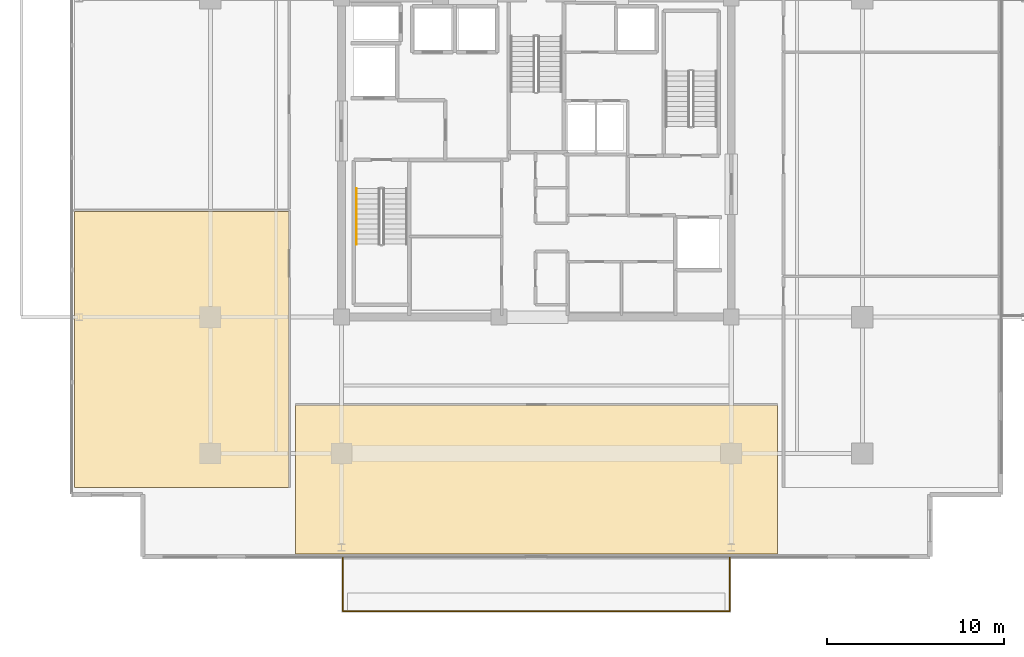
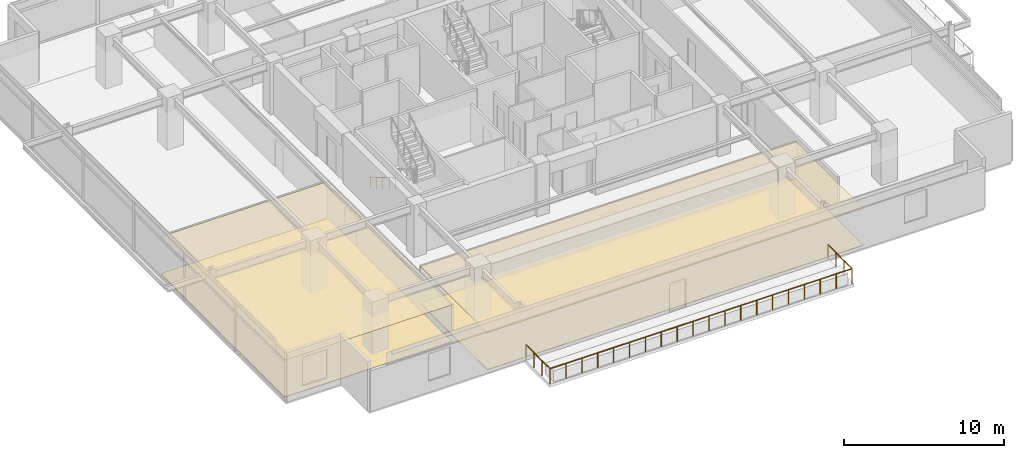
# One storey, part 20 of 23: 4 coverings, 2 railings.
"""IFC4 building model written with IfcOpenShell, lengths in metres."""

from ifc_helpers import new_model, si_unit, direction, frame, origin, origin_2d, place, context, subcontext, project, spatial, polyline, circle, outline, extrude, material, layer, layer_set, type_object, element, save


model = new_model("IFC4")

# Units and contexts
model_context = context("Model", 3, precision=1e-05, world=origin(), true_north=direction((0.0, 1.0)))
body_context = subcontext(model_context, "Body", "Model", "MODEL_VIEW")
ifc_project = project(units=[si_unit("LENGTHUNIT", "METRE"), si_unit("AREAUNIT", "SQUARE_METRE"), si_unit("VOLUMEUNIT", "CUBIC_METRE"), si_unit("PLANEANGLEUNIT", "RADIAN"), si_unit("MASSUNIT", "GRAM", prefix="KILO")], contexts=[model_context])

# Site, building, storey
site_placement = place(None, origin())
site = spatial("IfcSite", under=ifc_project, at=site_placement, CompositionType="ELEMENT")
building_placement = place(site_placement, origin())
building = spatial("IfcBuilding", under=site, at=building_placement, Name="Kovane Verandah Tower", CompositionType="ELEMENT")
storey_placement = place(building_placement, frame((0.0, 0.0, 267.199951171875)))
storey = spatial("IfcBuildingStorey", under=building, at=storey_placement, Name="L62", CompositionType="ELEMENT", Elevation=267.199951171875)

# Coverings
ifc_material_1 = material(Name="Perforated Acoustic Mineral-Fibre Ceiling Tile", Category="gypsum")
ifc_layer_1 = layer(ifc_material_1, 0.02490234375)
ifc_layer_set_1 = layer_set([ifc_layer_1], Name="Perforated Acoustic Mineral-Fibre Ceiling Tile")
covering_type_1 = type_object("IfcCoveringType", Name="CV-CEIL-25", PredefinedType="CEILING", material=ifc_layer_set_1)
covering_1_placement = place(storey_placement, frame((0.0, 0.0, 2.824951171875)))
element("IfcCovering", 1, at=covering_1_placement, inside=storey, type_object=covering_type_1, Name="L62 Executive Office S1 Acoustic Ceiling", PredefinedType="CEILING", context=body_context, shape_type="SweptSolid", body=[
    extrude(outline(polyline([(26.39990234375, 5.126708984375), (53.60009765625, 5.126708984375), (53.60009765625, 13.550048828125), (26.39990234375, 13.550048828125), (26.39990234375, 5.126708984375)])), origin(), (0.0, 0.0, 1.0), 0.025146484375),
])
covering_2_placement = place(storey_placement, frame((0.0, 0.0, 2.824951171875)))
element("IfcCovering", 2, at=covering_2_placement, inside=storey, type_object=covering_type_1, Name="L62 Client Boardroom W1 Acoustic Ceiling", PredefinedType="CEILING", context=body_context, shape_type="SweptSolid", body=[
    extrude(outline(polyline([(13.929443359375, 8.876708984375), (26.050048828125, 8.876708984375), (26.050048828125, 24.4501953125), (13.929443359375, 24.4501953125), (13.929443359375, 8.876708984375)])), origin(), (0.0, 0.0, 1.0), 0.025146484375),
])
ifc_material_2 = material(Name="Polished Terrazzo and Raised-Access Carpet Tile Finish", Category="concrete")
ifc_layer_2 = layer(ifc_material_2, 0.030029296875)
ifc_layer_set_2 = layer_set([ifc_layer_2], Name="Polished Terrazzo and Raised-Access Carpet Tile Finish")
covering_type_2 = type_object("IfcCoveringType", Name="CV-FLOR-30", PredefinedType="FLOORING", material=ifc_layer_set_2)
covering_3_placement = place(storey_placement, origin())
element("IfcCovering", 3, at=covering_3_placement, inside=storey, type_object=covering_type_2, Name="L62 Executive Office S1 Floor Finish", PredefinedType="FLOORING", context=body_context, shape_type="SweptSolid", body=[
    extrude(outline(polyline([(26.39990234375, 5.126708984375), (53.60009765625, 5.126708984375), (53.60009765625, 13.550048828125), (26.39990234375, 13.550048828125), (26.39990234375, 5.126708984375)])), origin(), (0.0, 0.0, 1.0), 0.030029296875),
])
covering_4_placement = place(storey_placement, origin())
element("IfcCovering", 4, at=covering_4_placement, inside=storey, type_object=covering_type_2, Name="L62 Client Boardroom W1 Floor Finish", PredefinedType="FLOORING", context=body_context, shape_type="SweptSolid", body=[
    extrude(outline(polyline([(13.929443359375, 8.876708984375), (26.050048828125, 8.876708984375), (26.050048828125, 24.4501953125), (13.929443359375, 24.4501953125), (13.929443359375, 8.876708984375)])), origin(), (0.0, 0.0, 1.0), 0.030029296875),
])

# Railings
ifc_material_3 = material(Name="Laminated Glass and Pale-Champagne Stainless Balustrade", Category="glass")
railing_type_1 = type_object("IfcRailingType", Name="RL-BAL-1150", PredefinedType="BALUSTRADE", material=ifc_material_3)
railing_1_placement = place(storey_placement, frame((29.080078125, 4.926513671875, 0.0)))
element("IfcRailing", 5, at=railing_1_placement, inside=storey, type_object=railing_type_1, Name="L62 S Verandah Glass Balustrade", PredefinedType="BALUSTRADE", context=body_context, shape_type="SweptSolid", body=[
    extrude(circle(Radius=0.02392578125, at=origin_2d()), frame((0.0, 0.0, 1.1259765625), z_axis=(0.0, -1.0, 0.0), x_axis=(1.0, 0.0, 0.0)), (0.0, 0.0, 1.0), 3.02001953125),
    extrude(circle(Radius=0.02392578125, at=origin_2d()), frame((0.0, -3.02001953125, 1.1259765625), z_axis=(1.0, 0.0, 0.0), x_axis=(0.0, 1.0, 0.0)), (0.0, 0.0, 1.0), 21.83984375),
    extrude(circle(Radius=0.02392578125, at=origin_2d()), frame((21.83984375, -3.02001953125, 1.1259765625), z_axis=(0.0, 1.0, 0.0), x_axis=(-1.0, 0.0, 0.0)), (0.0, 0.0, 1.0), 3.02001953125),
    extrude(circle(Radius=0.02099609375, at=origin_2d()), origin(), (0.0, 0.0, 1.0), 1.101806640625),
    extrude(circle(Radius=0.02099609375, at=origin_2d()), frame((0.0, -1.006591796875, 0.0)), (0.0, 0.0, 1.0), 1.101806640625),
    extrude(circle(Radius=0.02099609375, at=origin_2d()), frame((0.0, -2.013427734375, 0.0)), (0.0, 0.0, 1.0), 1.101806640625),
    extrude(circle(Radius=0.02099609375, at=origin_2d()), frame((0.0, -3.02001953125, 0.0)), (0.0, 0.0, 1.0), 1.101806640625),
    extrude(circle(Radius=0.02099609375, at=origin_2d()), frame((1.1494140625, -3.02001953125, 0.0)), (0.0, 0.0, 1.0), 1.101806640625),
    extrude(circle(Radius=0.02099609375, at=origin_2d()), frame((2.298828125, -3.02001953125, 0.0)), (0.0, 0.0, 1.0), 1.101806640625),
    extrude(circle(Radius=0.02099609375, at=origin_2d()), frame((3.448486328125, -3.02001953125, 0.0)), (0.0, 0.0, 1.0), 1.101806640625),
    extrude(circle(Radius=0.02099609375, at=origin_2d()), frame((4.597900390625, -3.02001953125, 0.0)), (0.0, 0.0, 1.0), 1.101806640625),
    extrude(circle(Radius=0.02099609375, at=origin_2d()), frame((5.747314453125, -3.02001953125, 0.0)), (0.0, 0.0, 1.0), 1.101806640625),
    extrude(circle(Radius=0.02099609375, at=origin_2d()), frame((6.896728515625, -3.02001953125, 0.0)), (0.0, 0.0, 1.0), 1.101806640625),
    extrude(circle(Radius=0.02099609375, at=origin_2d()), frame((8.046142578125, -3.02001953125, 0.0)), (0.0, 0.0, 1.0), 1.101806640625),
    extrude(circle(Radius=0.02099609375, at=origin_2d()), frame((9.19580078125, -3.02001953125, 0.0)), (0.0, 0.0, 1.0), 1.101806640625),
    extrude(circle(Radius=0.02099609375, at=origin_2d()), frame((10.34521484375, -3.02001953125, 0.0)), (0.0, 0.0, 1.0), 1.101806640625),
    extrude(circle(Radius=0.02099609375, at=origin_2d()), frame((11.49462890625, -3.02001953125, 0.0)), (0.0, 0.0, 1.0), 1.101806640625),
    extrude(circle(Radius=0.02099609375, at=origin_2d()), frame((12.64404296875, -3.02001953125, 0.0)), (0.0, 0.0, 1.0), 1.101806640625),
    extrude(circle(Radius=0.02099609375, at=origin_2d()), frame((13.793701171875, -3.02001953125, 0.0)), (0.0, 0.0, 1.0), 1.101806640625),
    extrude(circle(Radius=0.02099609375, at=origin_2d()), frame((14.943115234375, -3.02001953125, 0.0)), (0.0, 0.0, 1.0), 1.101806640625),
    extrude(circle(Radius=0.02099609375, at=origin_2d()), frame((16.092529296875, -3.02001953125, 0.0)), (0.0, 0.0, 1.0), 1.101806640625),
    extrude(circle(Radius=0.02099609375, at=origin_2d()), frame((17.241943359375, -3.02001953125, 0.0)), (0.0, 0.0, 1.0), 1.101806640625),
    extrude(circle(Radius=0.02099609375, at=origin_2d()), frame((18.391357421875, -3.02001953125, 0.0)), (0.0, 0.0, 1.0), 1.101806640625),
    extrude(circle(Radius=0.02099609375, at=origin_2d()), frame((19.541015625, -3.02001953125, 0.0)), (0.0, 0.0, 1.0), 1.101806640625),
    extrude(circle(Radius=0.02099609375, at=origin_2d()), frame((20.6904296875, -3.02001953125, 0.0)), (0.0, 0.0, 1.0), 1.101806640625),
    extrude(circle(Radius=0.02099609375, at=origin_2d()), frame((21.83984375, -3.02001953125, 0.0)), (0.0, 0.0, 1.0), 1.101806640625),
    extrude(circle(Radius=0.02099609375, at=origin_2d()), frame((21.83984375, -2.013427734375, 0.0)), (0.0, 0.0, 1.0), 1.101806640625),
    extrude(circle(Radius=0.02099609375, at=origin_2d()), frame((21.83984375, -1.006591796875, 0.0)), (0.0, 0.0, 1.0), 1.101806640625),
    extrude(circle(Radius=0.02099609375, at=origin_2d()), frame((21.83984375, 0.0, 0.0)), (0.0, 0.0, 1.0), 1.101806640625),
])
ifc_material_4 = material(Name="Brushed Stainless Steel Handrail", Category="steel")
railing_type_2 = type_object("IfcRailingType", Name="RL-HAND-920", PredefinedType="HANDRAIL", material=ifc_material_4)
railing_2_placement = place(storey_placement, frame((29.85009765625, 25.75, 0.166748046875)))
element("IfcRailing", 6, at=railing_2_placement, inside=storey, type_object=railing_type_2, Name="L62 ST-01 stair handrail 1", PredefinedType="HANDRAIL", context=body_context, shape_type="SweptSolid", body=[
    extrude(circle(Radius=0.02392578125, at=origin_2d()), frame((0.0, 0.0, 0.8759765625), z_axis=(0.0, -0.863239559939, 0.504794475164), x_axis=(1.0, 0.0, 0.0)), (0.0, 0.0, 1.0), 3.631591796875),
    extrude(circle(Radius=0.02099609375, at=origin_2d()), origin(), (0.0, 0.0, 1.0), 0.851806640625),
    extrude(circle(Radius=0.02099609375, at=origin_2d()), frame((0.0, -0.78369140625, 0.458251953125)), (0.0, 0.0, 1.0), 0.851806640625),
    extrude(circle(Radius=0.02099609375, at=origin_2d()), frame((0.0, -1.5673828125, 0.91650390625)), (0.0, 0.0, 1.0), 0.851806640625),
    extrude(circle(Radius=0.02099609375, at=origin_2d()), frame((0.0, -2.351318359375, 1.375)), (0.0, 0.0, 1.0), 0.851806640625),
    extrude(circle(Radius=0.02099609375, at=origin_2d()), frame((0.0, -3.135009765625, 1.833251953125)), (0.0, 0.0, 1.0), 0.851806640625),
])

save(model, "model.ifc")
